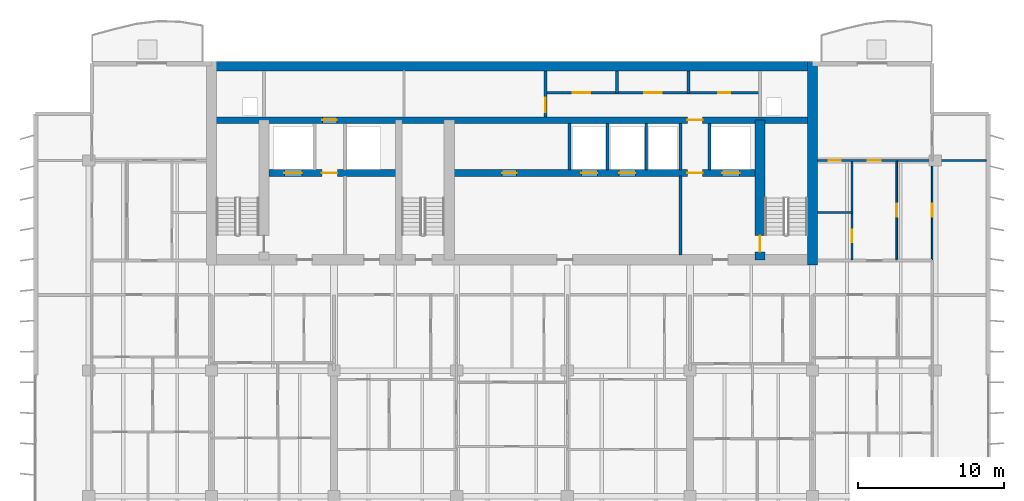
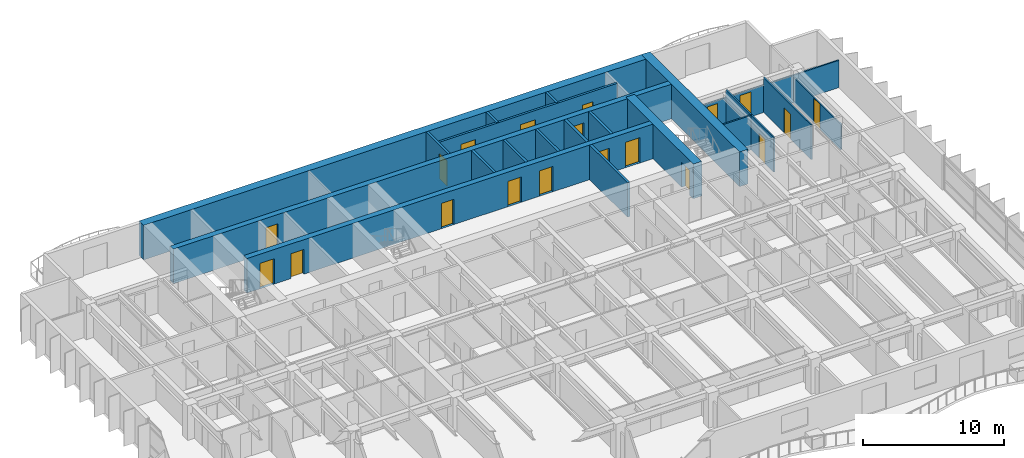
# One storey, part 13 of 18: 21 walls, 19 doors, 19 openings.
"""IFC4 building model written with IfcOpenShell, lengths in metres."""

from ifc_helpers import new_model, si_unit, direction, frame, frame_2d, origin, place, context, subcontext, project, spatial, rectangle, extrude, material, layer, layer_set, type_object, element, fill, save


model = new_model("IFC4")

# Units and contexts
model_context = context("Model", 3, precision=1e-05, world=origin(), true_north=direction((0.0, 1.0)))
body_context = subcontext(model_context, "Body", "Model", "MODEL_VIEW")
ifc_project = project(units=[si_unit("LENGTHUNIT", "METRE"), si_unit("AREAUNIT", "SQUARE_METRE"), si_unit("VOLUMEUNIT", "CUBIC_METRE"), si_unit("PLANEANGLEUNIT", "RADIAN"), si_unit("MASSUNIT", "GRAM", prefix="KILO")], contexts=[model_context])

# Site, building, storey
site_placement = place(None, origin())
site = spatial("IfcSite", under=ifc_project, at=site_placement, CompositionType="ELEMENT")
building_placement = place(site_placement, origin())
building = spatial("IfcBuilding", under=site, at=building_placement, Name="Caelmar Bay Residences", CompositionType="ELEMENT")
storey_placement = place(building_placement, frame((0.0, 0.0, 180.300048828125)))
storey = spatial("IfcBuildingStorey", under=building, at=storey_placement, Name="L50", CompositionType="ELEMENT", Elevation=180.300048828125)

# Wall
ifc_material_1 = material(Name="Concrete f'c 55 MPa (8,000 psi)", Category="concrete")
ifc_layer_1 = layer(ifc_material_1, 0.699951171875)
ifc_layer_set_1 = layer_set([ifc_layer_1], Name="Concrete f'c 55 MPa (8,000 psi)")
wall_type_1 = type_object("IfcWallType", Name="SW-COR-700", PredefinedType="SHEAR", material=ifc_layer_set_1)
wall_1_placement = place(storey_placement, frame((59.5, 36.64990234375, 0.0), z_axis=(0.0, 0.0, 1.0), x_axis=(0.0, 1.0, 0.0)))
element("IfcWall", 1, at=wall_1_placement, inside=storey, type_object=wall_type_1, Name="L50 Rear Core East Shear Wall", PredefinedType="SHEAR", context=body_context, shape_type="SweptSolid", body=[
    extrude(rectangle(XDim=13.9501953125, YDim=0.699951171875, at=frame_2d((6.97509765625, 0.0))), origin(), (0.0, 0.0, 1.0), 3.0),
])

# Wall, opening, door
wall_2_placement = place(storey_placement, frame((55.89990234375, 37.0, 0.0), z_axis=(0.0, 0.0, 1.0), x_axis=(0.0, 1.0, 0.0)))
wall_2 = element("IfcWall", 2, at=wall_2_placement, inside=storey, type_object=wall_type_1, Name="L50 Core Structural Web Wall ST2W", PredefinedType="SHEAR", context=body_context, shape_type="SweptSolid", body=[
    extrude(rectangle(XDim=9.574951171875, YDim=0.699951171875, at=frame_2d((4.78759765625, 0.0))), origin(), (0.0, 0.0, 1.0), 3.0),
])
opening_1_placement = place(wall_2_placement, frame((0.550048828125, 0.0, 0.0)))
opening_1 = element("IfcOpeningElement", 3, at=opening_1_placement, cuts=wall_2, Name="Opening D-L50-110", PredefinedType="OPENING", context=body_context, shape_type="SweptSolid", body=[
    extrude(rectangle(XDim=1.10009765625, YDim=2.14990234375, at=frame_2d((0.550048828125, 1.074951171875))), frame((0.0, 0.35986328125, 0.0), z_axis=(0.0, -1.0, 0.0), x_axis=(1.0, 0.0, 0.0)), (0.0, 0.0, 1.0), 0.719970703125),
])
ifc_material_2 = material(Name="Fire-rated steel and walnut architectural door assembly", Category="steel")
ifc_layer_2 = layer(ifc_material_2, 0.050048828125)
ifc_layer_set_2 = layer_set([ifc_layer_2], Name="Fire-rated steel and walnut architectural door assembly")
door_type_1 = type_object("IfcDoorType", Name="D-STAIR-1100", OperationType="NOTDEFINED", PredefinedType="DOOR", material=ifc_layer_set_2)
door_1_placement = place(opening_1_placement, origin())
door_1 = element("IfcDoor", 4, at=door_1_placement, inside=storey, type_object=door_type_1, Name="L50 Firefighting Lobby East Door", OperationType="SINGLE_SWING_LEFT", OverallHeight=2.14990234375, OverallWidth=1.10009765625, PredefinedType="DOOR", context=body_context, shape_type="SweptSolid", body=[
    extrude(rectangle(XDim=1.10009765625, YDim=2.14990234375, at=frame_2d((0.550048828125, 1.074951171875))), frame((0.0, 0.02490234375, 0.0), z_axis=(0.0, -1.0, 0.0), x_axis=(1.0, 0.0, 0.0)), (0.0, 0.0, 1.0), 0.050048828125),
])
fill(opening_1, door_1)

# Wall
ifc_layer_3 = layer(ifc_material_1, 0.64990234375)
ifc_layer_set_3 = layer_set([ifc_layer_3], Name="Concrete f'c 55 MPa (8,000 psi)")
wall_type_2 = type_object("IfcWallType", Name="SW-CORN-650", PredefinedType="SHEAR", material=ifc_layer_set_3)
wall_3_placement = place(storey_placement, frame((17.949951171875, 50.27490234375, 0.0), z_axis=(0.0, 0.0, 1.0), x_axis=(1.0, 0.0, 0.0)))
element("IfcWall", 5, at=wall_3_placement, inside=storey, type_object=wall_type_2, Name="L50 Rear Core North Shear Wall", PredefinedType="SHEAR", context=body_context, shape_type="SweptSolid", body=[
    extrude(rectangle(XDim=41.900146484375, YDim=0.64990234375, at=frame_2d((20.9501953125, 0.0))), origin(), (0.0, 0.0, 1.0), 3.0),
])

# Wall, openings, doors
ifc_material_3 = material(Name="Concrete f'c 70 MPa (10,000 psi)", Category="concrete")
ifc_layer_4 = layer(ifc_material_3, 0.449951171875)
ifc_layer_set_4 = layer_set([ifc_layer_4], Name="Concrete f'c 70 MPa (10,000 psi)")
wall_type_3 = type_object("IfcWallType", Name="SW-WEB-450", PredefinedType="SHEAR", material=ifc_layer_set_4)
wall_4_placement = place(storey_placement, frame((22.25, 42.949951171875, 0.0), z_axis=(0.0, 0.0, 1.0), x_axis=(1.0, 0.0, 0.0)))
wall_4 = element("IfcWall", 6, at=wall_4_placement, inside=storey, type_object=wall_type_3, Name="L50 Core Structural Web Wall LFR", PredefinedType="SHEAR", context=body_context, shape_type="SweptSolid", body=[
    extrude(rectangle(XDim=33.300048828125, YDim=0.449951171875, at=frame_2d((16.64990234375, 0.0))), origin(), (0.0, 0.0, 1.0), 3.0),
])
opening_2_placement = place(wall_4_placement, frame((1.050048828125, 0.0, 0.0)))
opening_2 = element("IfcOpeningElement", 7, at=opening_2_placement, cuts=wall_4, Name="Opening LD2", PredefinedType="OPENING", context=body_context, shape_type="SweptSolid", body=[
    extrude(rectangle(XDim=1.199951171875, YDim=2.199951171875, at=frame_2d((0.60009765625, 1.10009765625))), frame((0.0, 0.23486328125, 0.0), z_axis=(0.0, -1.0, 0.0), x_axis=(1.0, 0.0, 0.0)), (0.0, 0.0, 1.0), 0.469970703125),
])
opening_3_placement = place(wall_4_placement, frame((31.050048828125, 0.0, 0.0)))
opening_3 = element("IfcOpeningElement", 8, at=opening_3_placement, cuts=wall_4, Name="Opening LD2", PredefinedType="OPENING", context=body_context, shape_type="SweptSolid", body=[
    extrude(rectangle(XDim=1.199951171875, YDim=2.199951171875, at=frame_2d((0.60009765625, 1.10009765625))), frame((0.0, 0.23486328125, 0.0), z_axis=(0.0, -1.0, 0.0), x_axis=(1.0, 0.0, 0.0)), (0.0, 0.0, 1.0), 0.469970703125),
])
opening_4_placement = place(wall_4_placement, frame((21.39990234375, 0.0, 0.0)))
opening_4 = element("IfcOpeningElement", 9, at=opening_4_placement, cuts=wall_4, Name="Opening LD1", PredefinedType="OPENING", context=body_context, shape_type="SweptSolid", body=[
    extrude(rectangle(XDim=1.10009765625, YDim=2.199951171875, at=frame_2d((0.550048828125, 1.10009765625))), frame((0.0, 0.23486328125, 0.0), z_axis=(0.0, -1.0, 0.0), x_axis=(1.0, 0.0, 0.0)), (0.0, 0.0, 1.0), 0.469970703125),
])
opening_5_placement = place(wall_4_placement, frame((24.0, 0.0, 0.0)))
opening_5 = element("IfcOpeningElement", 10, at=opening_5_placement, cuts=wall_4, Name="Opening LD1", PredefinedType="OPENING", context=body_context, shape_type="SweptSolid", body=[
    extrude(rectangle(XDim=1.10009765625, YDim=2.199951171875, at=frame_2d((0.550048828125, 1.10009765625))), frame((0.0, 0.23486328125, 0.0), z_axis=(0.0, -1.0, 0.0), x_axis=(1.0, 0.0, 0.0)), (0.0, 0.0, 1.0), 0.469970703125),
])
opening_6_placement = place(wall_4_placement, frame((3.625, 0.0, 0.0)))
opening_6 = element("IfcOpeningElement", 11, at=opening_6_placement, cuts=wall_4, Name="Opening D-L50-108", PredefinedType="OPENING", context=body_context, shape_type="SweptSolid", body=[
    extrude(rectangle(XDim=1.050048828125, YDim=2.14990234375, at=frame_2d((0.52490234375, 1.074951171875))), frame((0.0, 0.23486328125, 0.0), z_axis=(0.0, -1.0, 0.0), x_axis=(1.0, 0.0, 0.0)), (0.0, 0.0, 1.0), 0.469970703125),
])
opening_7_placement = place(wall_4_placement, frame((28.675048828125, 0.0, 0.0)))
opening_7 = element("IfcOpeningElement", 12, at=opening_7_placement, cuts=wall_4, Name="Opening D-L50-111", PredefinedType="OPENING", context=body_context, shape_type="SweptSolid", body=[
    extrude(rectangle(XDim=1.050048828125, YDim=2.14990234375, at=frame_2d((0.52490234375, 1.074951171875))), frame((0.0, 0.23486328125, 0.0), z_axis=(0.0, -1.0, 0.0), x_axis=(1.0, 0.0, 0.0)), (0.0, 0.0, 1.0), 0.469970703125),
])
opening_8_placement = place(wall_4_placement, frame((15.97509765625, 0.0, 0.0)))
opening_8 = element("IfcOpeningElement", 13, at=opening_8_placement, cuts=wall_4, Name="Opening D-L50-114", PredefinedType="OPENING", context=body_context, shape_type="SweptSolid", body=[
    extrude(rectangle(XDim=1.0, YDim=2.199951171875, at=frame_2d((0.5, 1.10009765625))), frame((0.0, 0.23486328125, 0.0), z_axis=(0.0, -1.0, 0.0), x_axis=(1.0, 0.0, 0.0)), (0.0, 0.0, 1.0), 0.469970703125),
])
ifc_layer_5 = layer(ifc_material_2, 0.050048828125)
ifc_layer_set_5 = layer_set([ifc_layer_5], Name="Fire-rated steel and walnut architectural door assembly")
door_type_2 = type_object("IfcDoorType", Name="D-FSAE-1050", OperationType="NOTDEFINED", PredefinedType="DOOR", material=ifc_layer_set_5)
door_2_placement = place(opening_6_placement, origin())
door_2 = element("IfcDoor", 14, at=door_2_placement, inside=storey, type_object=door_type_2, Name="L50 Firefighting Lobby West Door", OperationType="SINGLE_SWING_LEFT", OverallHeight=2.14990234375, OverallWidth=1.050048828125, PredefinedType="DOOR", context=body_context, shape_type="SweptSolid", body=[
    extrude(rectangle(XDim=1.050048828125, YDim=2.14990234375, at=frame_2d((0.52490234375, 1.074951171875))), frame((0.0, 0.02490234375, 0.0), z_axis=(0.0, -1.0, 0.0), x_axis=(1.0, 0.0, 0.0)), (0.0, 0.0, 1.0), 0.050048828125),
])
fill(opening_6, door_2)
door_3_placement = place(opening_7_placement, origin())
door_3 = element("IfcDoor", 15, at=door_3_placement, inside=storey, type_object=door_type_2, Name="L50 Firefighting Lobby East Door", OperationType="SINGLE_SWING_RIGHT", OverallHeight=2.14990234375, OverallWidth=1.050048828125, PredefinedType="DOOR", context=body_context, shape_type="SweptSolid", body=[
    extrude(rectangle(XDim=1.050048828125, YDim=2.14990234375, at=frame_2d((0.52490234375, 1.074951171875))), frame((0.0, 0.02490234375, 0.0), z_axis=(0.0, -1.0, 0.0), x_axis=(1.0, 0.0, 0.0)), (0.0, 0.0, 1.0), 0.050048828125),
])
fill(opening_7, door_3)
ifc_material_4 = material(Name="Brushed bronze stainless-steel fire-rated lift landing doors", Category="steel")
ifc_layer_6 = layer(ifc_material_4, 0.050048828125)
ifc_layer_set_6 = layer_set([ifc_layer_6], Name="Brushed bronze stainless-steel fire-rated lift landing doors")
door_type_3 = type_object("IfcDoorType", Name="D-LND-1100", OperationType="DOUBLE_DOOR_SLIDING", PredefinedType="DOOR", material=ifc_layer_set_6)
door_4_placement = place(opening_4_placement, origin())
door_4 = element("IfcDoor", 16, at=door_4_placement, inside=storey, type_object=door_type_3, Name="L50 LP4 Sliding Landing Door", OperationType="DOUBLE_DOOR_SLIDING", OverallHeight=2.199951171875, OverallWidth=1.10009765625, PredefinedType="DOOR", context=body_context, shape_type="SweptSolid", body=[
    extrude(rectangle(XDim=1.10009765625, YDim=2.199951171875, at=frame_2d((0.550048828125, 1.10009765625))), frame((0.0, 0.02490234375, 0.0), z_axis=(0.0, -1.0, 0.0), x_axis=(1.0, 0.0, 0.0)), (0.0, 0.0, 1.0), 0.050048828125),
])
fill(opening_4, door_4)
door_5_placement = place(opening_5_placement, origin())
door_5 = element("IfcDoor", 17, at=door_5_placement, inside=storey, type_object=door_type_3, Name="L50 LP5 Sliding Landing Door", OperationType="DOUBLE_DOOR_SLIDING", OverallHeight=2.199951171875, OverallWidth=1.10009765625, PredefinedType="DOOR", context=body_context, shape_type="SweptSolid", body=[
    extrude(rectangle(XDim=1.10009765625, YDim=2.199951171875, at=frame_2d((0.550048828125, 1.10009765625))), frame((0.0, 0.02490234375, 0.0), z_axis=(0.0, -1.0, 0.0), x_axis=(1.0, 0.0, 0.0)), (0.0, 0.0, 1.0), 0.050048828125),
])
fill(opening_5, door_5)
ifc_material_5 = material(Name="Brushed stainless-steel FSAE sliding landing door", Category="steel")
ifc_layer_7 = layer(ifc_material_5, 0.050048828125)
ifc_layer_set_7 = layer_set([ifc_layer_7], Name="Brushed stainless-steel FSAE sliding landing door")
door_type_4 = type_object("IfcDoorType", Name="D-LND-1200", OperationType="DOUBLE_DOOR_SLIDING", PredefinedType="DOOR", material=ifc_layer_set_7)
door_6_placement = place(opening_2_placement, origin())
door_6 = element("IfcDoor", 18, at=door_6_placement, inside=storey, type_object=door_type_4, Name="L50 LF1 Sliding Landing Door", OperationType="DOUBLE_DOOR_SLIDING", OverallHeight=2.199951171875, OverallWidth=1.199951171875, PredefinedType="DOOR", context=body_context, shape_type="SweptSolid", body=[
    extrude(rectangle(XDim=1.199951171875, YDim=2.199951171875, at=frame_2d((0.60009765625, 1.10009765625))), frame((0.0, 0.02490234375, 0.0), z_axis=(0.0, -1.0, 0.0), x_axis=(1.0, 0.0, 0.0)), (0.0, 0.0, 1.0), 0.050048828125),
])
fill(opening_2, door_6)
door_7_placement = place(opening_3_placement, origin())
door_7 = element("IfcDoor", 19, at=door_7_placement, inside=storey, type_object=door_type_4, Name="L50 LF2 Sliding Landing Door", OperationType="DOUBLE_DOOR_SLIDING", OverallHeight=2.199951171875, OverallWidth=1.199951171875, PredefinedType="DOOR", context=body_context, shape_type="SweptSolid", body=[
    extrude(rectangle(XDim=1.199951171875, YDim=2.199951171875, at=frame_2d((0.60009765625, 1.10009765625))), frame((0.0, 0.02490234375, 0.0), z_axis=(0.0, -1.0, 0.0), x_axis=(1.0, 0.0, 0.0)), (0.0, 0.0, 1.0), 0.050048828125),
])
fill(opening_3, door_7)
ifc_layer_8 = layer(ifc_material_2, 0.050048828125)
ifc_layer_set_8 = layer_set([ifc_layer_8], Name="Fire-rated steel and walnut architectural door assembly")
door_type_5 = type_object("IfcDoorType", Name="D-UNIT-1000", OperationType="NOTDEFINED", PredefinedType="DOOR", material=ifc_layer_set_8)
door_8_placement = place(opening_8_placement, origin())
door_8 = element("IfcDoor", 20, at=door_8_placement, inside=storey, type_object=door_type_5, Name="L50 Quiet Reading Study Door", OperationType="SINGLE_SWING_LEFT", OverallHeight=2.199951171875, OverallWidth=1.0, PredefinedType="DOOR", context=body_context, shape_type="SweptSolid", body=[
    extrude(rectangle(XDim=1.0, YDim=2.199951171875, at=frame_2d((0.5, 1.10009765625))), frame((0.0, 0.02490234375, 0.0), z_axis=(0.0, -1.0, 0.0), x_axis=(1.0, 0.0, 0.0)), (0.0, 0.0, 1.0), 0.050048828125),
])
fill(opening_8, door_8)

wall_5_placement = place(storey_placement, frame((18.300048828125, 46.574951171875, 0.0), z_axis=(0.0, 0.0, 1.0), x_axis=(1.0, 0.0, 0.0)))
wall_5 = element("IfcWall", 21, at=wall_5_placement, inside=storey, type_object=wall_type_3, Name="L50 Core Structural Web Wall SRVS", PredefinedType="SHEAR", context=body_context, shape_type="SweptSolid", body=[
    extrude(rectangle(XDim=41.199951171875, YDim=0.449951171875, at=frame_2d((20.60009765625, 0.0))), origin(), (0.0, 0.0, 1.0), 3.0),
])
opening_9_placement = place(wall_5_placement, frame((7.60009765625, 0.0, 0.0)))
opening_9 = element("IfcOpeningElement", 22, at=opening_9_placement, cuts=wall_5, Name="Opening D-L50-115", PredefinedType="OPENING", context=body_context, shape_type="SweptSolid", body=[
    extrude(rectangle(XDim=1.0, YDim=2.199951171875, at=frame_2d((0.5, 1.10009765625))), frame((0.0, 0.23486328125, 0.0), z_axis=(0.0, -1.0, 0.0), x_axis=(1.0, 0.0, 0.0)), (0.0, 0.0, 1.0), 0.469970703125),
])
opening_10_placement = place(wall_5_placement, frame((32.625, 0.0, 0.0)))
opening_10 = element("IfcOpeningElement", 23, at=opening_10_placement, cuts=wall_5, Name="Opening D-L50-116", PredefinedType="OPENING", context=body_context, shape_type="SweptSolid", body=[
    extrude(rectangle(XDim=1.050048828125, YDim=2.14990234375, at=frame_2d((0.52490234375, 1.074951171875))), frame((0.0, 0.23486328125, 0.0), z_axis=(0.0, -1.0, 0.0), x_axis=(1.0, 0.0, 0.0)), (0.0, 0.0, 1.0), 0.469970703125),
])
door_9_placement = place(opening_10_placement, origin())
door_9 = element("IfcDoor", 24, at=door_9_placement, inside=storey, type_object=door_type_2, Name="L50 East Core Service Corridor Door", OperationType="SINGLE_SWING_LEFT", OverallHeight=2.14990234375, OverallWidth=1.050048828125, PredefinedType="DOOR", context=body_context, shape_type="SweptSolid", body=[
    extrude(rectangle(XDim=1.050048828125, YDim=2.14990234375, at=frame_2d((0.52490234375, 1.074951171875))), frame((0.0, 0.02490234375, 0.0), z_axis=(0.0, -1.0, 0.0), x_axis=(1.0, 0.0, 0.0)), (0.0, 0.0, 1.0), 0.050048828125),
])
fill(opening_10, door_9)
door_10_placement = place(opening_9_placement, origin())
door_10 = element("IfcDoor", 25, at=door_10_placement, inside=storey, type_object=door_type_5, Name="L50 Package Concierge Office Door", OperationType="SINGLE_SWING_RIGHT", OverallHeight=2.199951171875, OverallWidth=1.0, PredefinedType="DOOR", context=body_context, shape_type="SweptSolid", body=[
    extrude(rectangle(XDim=1.0, YDim=2.199951171875, at=frame_2d((0.5, 1.10009765625))), frame((0.0, 0.02490234375, 0.0), z_axis=(0.0, -1.0, 0.0), x_axis=(1.0, 0.0, 0.0)), (0.0, 0.0, 1.0), 0.050048828125),
])
fill(opening_9, door_10)

# Wall, opening, door
ifc_material_6 = material(Name="Double-stud acoustic fire-rated gypsum partition 180 mm")
ifc_layer_9 = layer(ifc_material_6, 0.179931640625)
ifc_layer_set_9 = layer_set([ifc_layer_9], Name="Double-stud acoustic fire-rated gypsum partition 180 mm")
wall_type_4 = type_object("IfcWallType", Name="W-COR-200", PredefinedType="PARTITIONING", material=ifc_layer_set_9)
wall_6_placement = place(storey_placement, frame((41.199951171875, 46.794921875, 0.0), z_axis=(0.0, 0.0, 1.0), x_axis=(0.0, 1.0, 0.0)))
wall_6 = element("IfcWall", 26, at=wall_6_placement, inside=storey, type_object=wall_type_4, Name="L50 Partition Wall V054", PredefinedType="PARTITIONING", context=body_context, shape_type="SweptSolid", body=[
    extrude(rectangle(XDim=3.16015625, YDim=0.179931640625, at=frame_2d((1.580078125, 0.0))), origin(), (0.0, 0.0, 1.0), 3.0),
])
opening_11_placement = place(wall_6_placement, frame((0.327392578125, 0.0, 0.0)))
opening_11 = element("IfcOpeningElement", 27, at=opening_11_placement, cuts=wall_6, Name="Opening D-L50-117", PredefinedType="OPENING", context=body_context, shape_type="SweptSolid", body=[
    extrude(rectangle(XDim=1.0, YDim=2.199951171875, at=frame_2d((0.5, 1.10009765625))), frame((0.0, 0.099853515625, 0.0), z_axis=(0.0, -1.0, 0.0), x_axis=(1.0, 0.0, 0.0)), (0.0, 0.0, 1.0), 0.199951171875),
])
door_11_placement = place(opening_11_placement, origin())
door_11 = element("IfcDoor", 28, at=door_11_placement, inside=storey, type_object=door_type_5, Name="L50 Engineering Control Office Door", OperationType="SINGLE_SWING_RIGHT", OverallHeight=2.199951171875, OverallWidth=1.0, PredefinedType="DOOR", context=body_context, shape_type="SweptSolid", body=[
    extrude(rectangle(XDim=1.0, YDim=2.199951171875, at=frame_2d((0.5, 1.10009765625))), frame((0.0, 0.02490234375, 0.0), z_axis=(0.0, -1.0, 0.0), x_axis=(1.0, 0.0, 0.0)), (0.0, 0.0, 1.0), 0.050048828125),
])
fill(opening_11, door_11)

# Walls
for number, where, z_axis, x_axis, name in (
    (29, (46.10009765625, 48.449951171875, 0.0), (0.0, 0.0, 1.0), (0.0, 1.0, 0.0), "L50 Partition Wall V063"),
    (30, (51.0, 48.449951171875, 0.0), (0.0, 0.0, 1.0), (0.0, 1.0, 0.0), "L50 Partition Wall V070"),
):
    element("IfcWall", number, at=place(storey_placement, frame(where, z_axis=z_axis, x_axis=x_axis)), inside=storey, type_object=wall_type_4, Name=name, PredefinedType="PARTITIONING", context=body_context, shape_type="SweptSolid", body=[
        extrude(rectangle(XDim=1.505126953125, YDim=0.179931640625, at=frame_2d((0.75244140625, 0.0))), origin(), (0.0, 0.0, 1.0), 3.0),
    ])

# Wall, openings, doors
wall_7_placement = place(storey_placement, frame((41.199951171875, 48.449951171875, 0.0), z_axis=(0.0, 0.0, 1.0), x_axis=(1.0, 0.0, 0.0)))
wall_7 = element("IfcWall", 31, at=wall_7_placement, inside=storey, type_object=wall_type_4, Name="L50 Partition Wall H142", PredefinedType="PARTITIONING", context=body_context, shape_type="SweptSolid", body=[
    extrude(rectangle(XDim=14.699951171875, YDim=0.179931640625, at=frame_2d((7.35009765625, 0.0))), origin(), (0.0, 0.0, 1.0), 3.0),
])
opening_12_placement = place(wall_7_placement, frame((1.85009765625, 0.0, 0.0)))
opening_12 = element("IfcOpeningElement", 32, at=opening_12_placement, cuts=wall_7, Name="Opening D-L50-118", PredefinedType="OPENING", context=body_context, shape_type="SweptSolid", body=[
    extrude(rectangle(XDim=1.199951171875, YDim=2.199951171875, at=frame_2d((0.60009765625, 1.10009765625))), frame((0.0, 0.099853515625, 0.0), z_axis=(0.0, -1.0, 0.0), x_axis=(1.0, 0.0, 0.0)), (0.0, 0.0, 1.0), 0.199951171875),
])
opening_13_placement = place(wall_7_placement, frame((6.75, 0.0, 0.0)))
opening_13 = element("IfcOpeningElement", 33, at=opening_13_placement, cuts=wall_7, Name="Opening D-L50-119", PredefinedType="OPENING", context=body_context, shape_type="SweptSolid", body=[
    extrude(rectangle(XDim=1.199951171875, YDim=2.199951171875, at=frame_2d((0.60009765625, 1.10009765625))), frame((0.0, 0.099853515625, 0.0), z_axis=(0.0, -1.0, 0.0), x_axis=(1.0, 0.0, 0.0)), (0.0, 0.0, 1.0), 0.199951171875),
])
opening_14_placement = place(wall_7_placement, frame((11.824951171875, 0.0, 0.0)))
opening_14 = element("IfcOpeningElement", 34, at=opening_14_placement, cuts=wall_7, Name="Opening D-L50-120", PredefinedType="OPENING", context=body_context, shape_type="SweptSolid", body=[
    extrude(rectangle(XDim=0.85009765625, YDim=2.10009765625, at=frame_2d((0.425048828125, 1.050048828125))), frame((0.0, 0.099853515625, 0.0), z_axis=(0.0, -1.0, 0.0), x_axis=(1.0, 0.0, 0.0)), (0.0, 0.0, 1.0), 0.199951171875),
])
ifc_layer_10 = layer(ifc_material_2, 0.050048828125)
ifc_layer_set_10 = layer_set([ifc_layer_10], Name="Fire-rated steel and walnut architectural door assembly")
door_type_6 = type_object("IfcDoorType", Name="D-CORE-850", OperationType="NOTDEFINED", PredefinedType="DOOR", material=ifc_layer_set_10)
door_12_placement = place(opening_14_placement, origin())
door_12 = element("IfcDoor", 35, at=door_12_placement, inside=storey, type_object=door_type_6, Name="L50 Accessible Staff WC Door", OperationType="SINGLE_SWING_LEFT", OverallHeight=2.10009765625, OverallWidth=0.85009765625, PredefinedType="DOOR", context=body_context, shape_type="SweptSolid", body=[
    extrude(rectangle(XDim=0.85009765625, YDim=2.10009765625, at=frame_2d((0.425048828125, 1.050048828125))), frame((0.0, 0.02490234375, 0.0), z_axis=(0.0, -1.0, 0.0), x_axis=(1.0, 0.0, 0.0)), (0.0, 0.0, 1.0), 0.050048828125),
])
fill(opening_14, door_12)
ifc_layer_11 = layer(ifc_material_2, 0.050048828125)
ifc_layer_set_11 = layer_set([ifc_layer_11], Name="Fire-rated steel and walnut architectural door assembly")
door_type_7 = type_object("IfcDoorType", Name="D-PLANT-1200", OperationType="NOTDEFINED", PredefinedType="DOOR", material=ifc_layer_set_11)
door_13_placement = place(opening_12_placement, origin())
door_13 = element("IfcDoor", 36, at=door_13_placement, inside=storey, type_object=door_type_7, Name="L50 Electrical Closet Door", OperationType="SINGLE_SWING_LEFT", OverallHeight=2.199951171875, OverallWidth=1.199951171875, PredefinedType="DOOR", context=body_context, shape_type="SweptSolid", body=[
    extrude(rectangle(XDim=1.199951171875, YDim=2.199951171875, at=frame_2d((0.60009765625, 1.10009765625))), frame((0.0, 0.02490234375, 0.0), z_axis=(0.0, -1.0, 0.0), x_axis=(1.0, 0.0, 0.0)), (0.0, 0.0, 1.0), 0.050048828125),
])
fill(opening_12, door_13)
door_14_placement = place(opening_13_placement, origin())
door_14 = element("IfcDoor", 37, at=door_14_placement, inside=storey, type_object=door_type_7, Name="L50 Housekeeping Linen Closet Door", OperationType="SINGLE_SWING_RIGHT", OverallHeight=2.199951171875, OverallWidth=1.199951171875, PredefinedType="DOOR", context=body_context, shape_type="SweptSolid", body=[
    extrude(rectangle(XDim=1.199951171875, YDim=2.199951171875, at=frame_2d((0.60009765625, 1.10009765625))), frame((0.0, 0.02490234375, 0.0), z_axis=(0.0, -1.0, 0.0), x_axis=(1.0, 0.0, 0.0)), (0.0, 0.0, 1.0), 0.050048828125),
])
fill(opening_13, door_14)

# Walls
ifc_material_7 = material(Name="Fire-rated masonry and gypsum shaftliner assembly 200 mm", Category="masonry")
ifc_layer_12 = layer(ifc_material_7, 0.199951171875)
ifc_layer_set_12 = layer_set([ifc_layer_12], Name="Fire-rated masonry and gypsum shaftliner assembly 200 mm")
wall_type_5 = type_object("IfcWallType", Name="W-FSAE-200", PredefinedType="PARTITIONING", material=ifc_layer_set_12)
for number, where, z_axis, x_axis, name in (
    (38, (42.85009765625, 43.169921875, 0.0), (0.0, 0.0, 1.0), (0.0, 1.0, 0.0), "L50 Partition Wall V061"),
    (39, (45.449951171875, 43.169921875, 0.0), (0.0, 0.0, 1.0), (0.0, 1.0, 0.0), "L50 Partition Wall V062"),
    (40, (48.10009765625, 43.169921875, 0.0), (0.0, 0.0, 1.0), (0.0, 1.0, 0.0), "L50 Partition Wall V064"),
):
    element("IfcWall", number, at=place(storey_placement, frame(where, z_axis=z_axis, x_axis=x_axis)), inside=storey, type_object=wall_type_5, Name=name, PredefinedType="PARTITIONING", context=body_context, shape_type="SweptSolid", body=[
        extrude(rectangle(XDim=3.18505859375, YDim=0.199951171875, at=frame_2d((1.592529296875, 0.0))), origin(), (0.0, 0.0, 1.0), 3.0),
    ])
wall_8_placement = place(storey_placement, frame((50.449951171875, 37.344970703125, 0.0), z_axis=(0.0, 0.0, 1.0), x_axis=(0.0, 1.0, 0.0)))
element("IfcWall", 41, at=wall_8_placement, inside=storey, type_object=wall_type_5, Name="L50 Partition Wall V068", PredefinedType="PARTITIONING", context=body_context, shape_type="SweptSolid", body=[
    extrude(rectangle(XDim=5.385009765625, YDim=0.199951171875, at=frame_2d((2.6923828125, 0.0))), origin(), (0.0, 0.0, 1.0), 3.0),
])
for number, where, z_axis, x_axis, name in (
    (42, (50.449951171875, 43.169921875, 0.0), (0.0, 0.0, 1.0), (0.0, 1.0, 0.0), "L50 Partition Wall V069"),
    (43, (52.449951171875, 43.169921875, 0.0), (0.0, 0.0, 1.0), (0.0, 1.0, 0.0), "L50 Partition Wall V076"),
):
    element("IfcWall", number, at=place(storey_placement, frame(where, z_axis=z_axis, x_axis=x_axis)), inside=storey, type_object=wall_type_5, Name=name, PredefinedType="PARTITIONING", context=body_context, shape_type="SweptSolid", body=[
        extrude(rectangle(XDim=3.18505859375, YDim=0.199951171875, at=frame_2d((1.592529296875, 0.0))), origin(), (0.0, 0.0, 1.0), 3.0),
    ])

# Wall, opening, door
ifc_material_8 = material(Name="Anodised bronze framed acoustic sliding study partition 100 mm")
ifc_layer_13 = layer(ifc_material_8, 0.10009765625)
ifc_layer_set_13 = layer_set([ifc_layer_13], Name="Anodised bronze framed acoustic sliding study partition 100 mm")
wall_type_6 = type_object("IfcWallType", Name="W-MOV-100", PredefinedType="MOVABLE", material=ifc_layer_set_13)
wall_9_placement = place(storey_placement, frame((67.699951171875, 37.0, 0.0), z_axis=(0.0, 0.0, 1.0), x_axis=(0.0, 1.0, 0.0)))
wall_9 = element("IfcWall", 44, at=wall_9_placement, inside=storey, type_object=wall_type_6, Name="L50 Partition Wall V104", PredefinedType="MOVABLE", context=body_context, shape_type="SweptSolid", body=[
    extrude(rectangle(XDim=6.800048828125, YDim=0.10009765625, at=frame_2d((3.39990234375, 0.0))), origin(), (0.0, 0.0, 1.0), 2.212890625),
])
opening_15_placement = place(wall_9_placement, frame((2.949951171875, 0.0, 0.0)))
opening_15 = element("IfcOpeningElement", 45, at=opening_15_placement, cuts=wall_9, Name="Opening D-L50-178", PredefinedType="OPENING", context=body_context, shape_type="SweptSolid", body=[
    extrude(rectangle(XDim=0.89990234375, YDim=2.14990234375, at=frame_2d((0.449951171875, 1.074951171875))), frame((0.0, 0.06005859375, 0.0), z_axis=(0.0, -1.0, 0.0), x_axis=(1.0, 0.0, 0.0)), (0.0, 0.0, 1.0), 0.1201171875),
])
ifc_material_9 = material(Name="Solid walnut timber interior door leaf and frame", Category="wood")
ifc_layer_14 = layer(ifc_material_9, 0.050048828125)
ifc_layer_set_14 = layer_set([ifc_layer_14], Name="Solid walnut timber interior door leaf and frame")
door_type_8 = type_object("IfcDoorType", Name="D-ROOM-900", OperationType="NOTDEFINED", PredefinedType="DOOR", material=ifc_layer_set_14)
door_15_placement = place(opening_15_placement, origin())
door_15 = element("IfcDoor", 46, at=door_15_placement, inside=storey, type_object=door_type_8, Name="L50 Residence EA Sun Study Door", OperationType="SINGLE_SWING_LEFT", OverallHeight=2.14990234375, OverallWidth=0.89990234375, PredefinedType="DOOR", context=body_context, shape_type="SweptSolid", body=[
    extrude(rectangle(XDim=0.89990234375, YDim=2.14990234375, at=frame_2d((0.449951171875, 1.074951171875))), frame((0.0, 0.02490234375, 0.0), z_axis=(0.0, -1.0, 0.0), x_axis=(1.0, 0.0, 0.0)), (0.0, 0.0, 1.0), 0.050048828125),
])
fill(opening_15, door_15)

ifc_material_10 = material(Name="Acoustic metal-stud gypsum partition 120 mm")
ifc_layer_15 = layer(ifc_material_10, 0.1201171875)
ifc_layer_set_15 = layer_set([ifc_layer_15], Name="Acoustic metal-stud gypsum partition 120 mm")
wall_type_7 = type_object("IfcWallType", Name="W-PRT-120", PredefinedType="PARTITIONING", material=ifc_layer_set_15)
wall_10_placement = place(storey_placement, frame((62.199951171875, 37.0, 0.0), z_axis=(0.0, 0.0, 1.0), x_axis=(0.0, 1.0, 0.0)))
wall_10 = element("IfcWall", 47, at=wall_10_placement, inside=storey, type_object=wall_type_7, Name="L50 Partition Wall V090", PredefinedType="PARTITIONING", context=body_context, shape_type="SweptSolid", body=[
    extrude(rectangle(XDim=6.800048828125, YDim=0.1201171875, at=frame_2d((3.39990234375, 0.0))), origin(), (0.0, 0.0, 1.0), 3.0),
])
opening_16_placement = place(wall_10_placement, frame((1.194091796875, 0.0, 0.0)))
opening_16 = element("IfcOpeningElement", 48, at=opening_16_placement, cuts=wall_10, Name="Opening D-L50-176", PredefinedType="OPENING", context=body_context, shape_type="SweptSolid", body=[
    extrude(rectangle(XDim=0.85009765625, YDim=2.10009765625, at=frame_2d((0.425048828125, 1.050048828125))), frame((0.0, 0.070068359375, 0.0), z_axis=(0.0, -1.0, 0.0), x_axis=(1.0, 0.0, 0.0)), (0.0, 0.0, 1.0), 0.14013671875),
])
ifc_layer_16 = layer(ifc_material_9, 0.050048828125)
ifc_layer_set_16 = layer_set([ifc_layer_16], Name="Solid walnut timber interior door leaf and frame")
door_type_9 = type_object("IfcDoorType", Name="D-BATH-850", OperationType="NOTDEFINED", PredefinedType="DOOR", material=ifc_layer_set_16)
door_16_placement = place(opening_16_placement, origin())
door_16 = element("IfcDoor", 49, at=door_16_placement, inside=storey, type_object=door_type_9, Name="L50 Residence EA Walk-In Closet Door", OperationType="SINGLE_SWING_LEFT", OverallHeight=2.10009765625, OverallWidth=0.85009765625, PredefinedType="DOOR", context=body_context, shape_type="SweptSolid", body=[
    extrude(rectangle(XDim=0.85009765625, YDim=2.10009765625, at=frame_2d((0.425048828125, 1.050048828125))), frame((0.0, 0.02490234375, 0.0), z_axis=(0.0, -1.0, 0.0), x_axis=(1.0, 0.0, 0.0)), (0.0, 0.0, 1.0), 0.050048828125),
])
fill(opening_16, door_16)

wall_11_placement = place(storey_placement, frame((65.280029296875, 37.0, 0.0), z_axis=(0.0, 0.0, 1.0), x_axis=(0.0, 1.0, 0.0)))
wall_11 = element("IfcWall", 50, at=wall_11_placement, inside=storey, type_object=wall_type_7, Name="L50 Partition Wall V096", PredefinedType="PARTITIONING", context=body_context, shape_type="SweptSolid", body=[
    extrude(rectangle(XDim=6.800048828125, YDim=0.1201171875, at=frame_2d((3.39990234375, 0.0))), origin(), (0.0, 0.0, 1.0), 3.0),
])
opening_17_placement = place(wall_11_placement, frame((2.949951171875, 0.0, 0.0)))
opening_17 = element("IfcOpeningElement", 51, at=opening_17_placement, cuts=wall_11, Name="Opening D-L50-173", PredefinedType="OPENING", context=body_context, shape_type="SweptSolid", body=[
    extrude(rectangle(XDim=0.89990234375, YDim=2.14990234375, at=frame_2d((0.449951171875, 1.074951171875))), frame((0.0, 0.070068359375, 0.0), z_axis=(0.0, -1.0, 0.0), x_axis=(1.0, 0.0, 0.0)), (0.0, 0.0, 1.0), 0.14013671875),
])
door_17_placement = place(opening_17_placement, origin())
door_17 = element("IfcDoor", 52, at=door_17_placement, inside=storey, type_object=door_type_8, Name="L50 Residence EA Dining Room Door", OperationType="SINGLE_SWING_RIGHT", OverallHeight=2.14990234375, OverallWidth=0.89990234375, PredefinedType="DOOR", context=body_context, shape_type="SweptSolid", body=[
    extrude(rectangle(XDim=0.89990234375, YDim=2.14990234375, at=frame_2d((0.449951171875, 1.074951171875))), frame((0.0, 0.02490234375, 0.0), z_axis=(0.0, -1.0, 0.0), x_axis=(1.0, 0.0, 0.0)), (0.0, 0.0, 1.0), 0.050048828125),
])
fill(opening_17, door_17)

# Wall
wall_12_placement = place(storey_placement, frame((59.844970703125, 40.238037109375, 0.0), z_axis=(0.0, 0.0, 1.0), x_axis=(1.0, 0.0, 0.0)))
element("IfcWall", 53, at=wall_12_placement, inside=storey, type_object=wall_type_7, Name="L50 Partition Wall H138", PredefinedType="PARTITIONING", context=body_context, shape_type="SweptSolid", body=[
    extrude(rectangle(XDim=2.35498046875, YDim=0.1201171875, at=frame_2d((1.177490234375, 0.0))), origin(), (0.0, 0.0, 1.0), 3.0),
])

# Wall, openings, doors
wall_13_placement = place(storey_placement, frame((59.844970703125, 43.800048828125, 0.0), z_axis=(0.0, 0.0, 1.0), x_axis=(1.0, 0.0, 0.0)))
wall_13 = element("IfcWall", 54, at=wall_13_placement, inside=storey, type_object=wall_type_7, Name="L50 Partition Wall H140", PredefinedType="PARTITIONING", context=body_context, shape_type="SweptSolid", body=[
    extrude(rectangle(XDim=5.43505859375, YDim=0.1201171875, at=frame_2d((2.717529296875, 0.0))), origin(), (0.0, 0.0, 1.0), 2.367919921875),
])
opening_18_placement = place(wall_13_placement, frame((3.445068359375, 0.0, 0.0)))
opening_18 = element("IfcOpeningElement", 55, at=opening_18_placement, cuts=wall_13, Name="Opening D-L50-175", PredefinedType="OPENING", context=body_context, shape_type="SweptSolid", body=[
    extrude(rectangle(XDim=0.89990234375, YDim=2.14990234375, at=frame_2d((0.449951171875, 1.074951171875))), frame((0.0, 0.070068359375, 0.0), z_axis=(0.0, -1.0, 0.0), x_axis=(1.0, 0.0, 0.0)), (0.0, 0.0, 1.0), 0.14013671875),
])
opening_19_placement = place(wall_13_placement, frame((0.75244140625, 0.0, 0.0)))
opening_19 = element("IfcOpeningElement", 56, at=opening_19_placement, cuts=wall_13, Name="Opening D-L50-177", PredefinedType="OPENING", context=body_context, shape_type="SweptSolid", body=[
    extrude(rectangle(XDim=0.85009765625, YDim=2.10009765625, at=frame_2d((0.425048828125, 1.050048828125))), frame((0.0, 0.070068359375, 0.0), z_axis=(0.0, -1.0, 0.0), x_axis=(1.0, 0.0, 0.0)), (0.0, 0.0, 1.0), 0.14013671875),
])
door_18_placement = place(opening_19_placement, origin())
door_18 = element("IfcDoor", 57, at=door_18_placement, inside=storey, type_object=door_type_9, Name="L50 Residence EA Bathroom Door", OperationType="SINGLE_SWING_RIGHT", OverallHeight=2.10009765625, OverallWidth=0.85009765625, PredefinedType="DOOR", context=body_context, shape_type="SweptSolid", body=[
    extrude(rectangle(XDim=0.85009765625, YDim=2.10009765625, at=frame_2d((0.425048828125, 1.050048828125))), frame((0.0, 0.02490234375, 0.0), z_axis=(0.0, -1.0, 0.0), x_axis=(1.0, 0.0, 0.0)), (0.0, 0.0, 1.0), 0.050048828125),
])
fill(opening_19, door_18)
door_19_placement = place(opening_18_placement, origin())
door_19 = element("IfcDoor", 58, at=door_19_placement, inside=storey, type_object=door_type_8, Name="L50 Residence EA Studio Living and Sleeping Room Door", OperationType="SINGLE_SWING_RIGHT", OverallHeight=2.14990234375, OverallWidth=0.89990234375, PredefinedType="DOOR", context=body_context, shape_type="SweptSolid", body=[
    extrude(rectangle(XDim=0.89990234375, YDim=2.14990234375, at=frame_2d((0.449951171875, 1.074951171875))), frame((0.0, 0.02490234375, 0.0), z_axis=(0.0, -1.0, 0.0), x_axis=(1.0, 0.0, 0.0)), (0.0, 0.0, 1.0), 0.050048828125),
])
fill(opening_18, door_19)

# Wall
wall_14_placement = place(storey_placement, frame((65.31591796875, 43.800048828125, 0.0), z_axis=(0.0, 0.0, 1.0), x_axis=(1.0, 0.0, 0.0)))
element("IfcWall", 59, at=wall_14_placement, inside=storey, type_object=wall_type_7, Name="L50 Partition Wall H141", PredefinedType="PARTITIONING", context=body_context, shape_type="SweptSolid", body=[
    extrude(rectangle(XDim=6.089111328125, YDim=0.1201171875, at=frame_2d((3.04443359375, 0.0))), origin(), (0.0, 0.0, 1.0), 2.367919921875),
])

save(model, "model.ifc")
